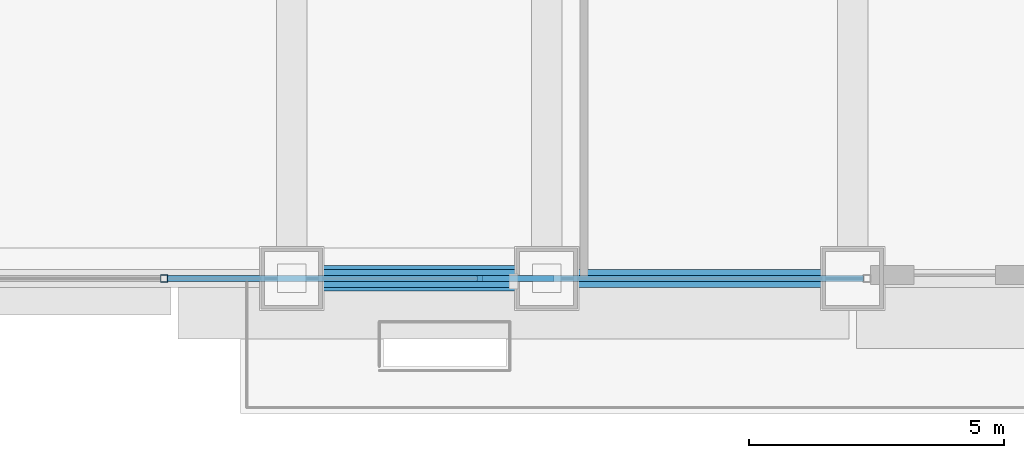
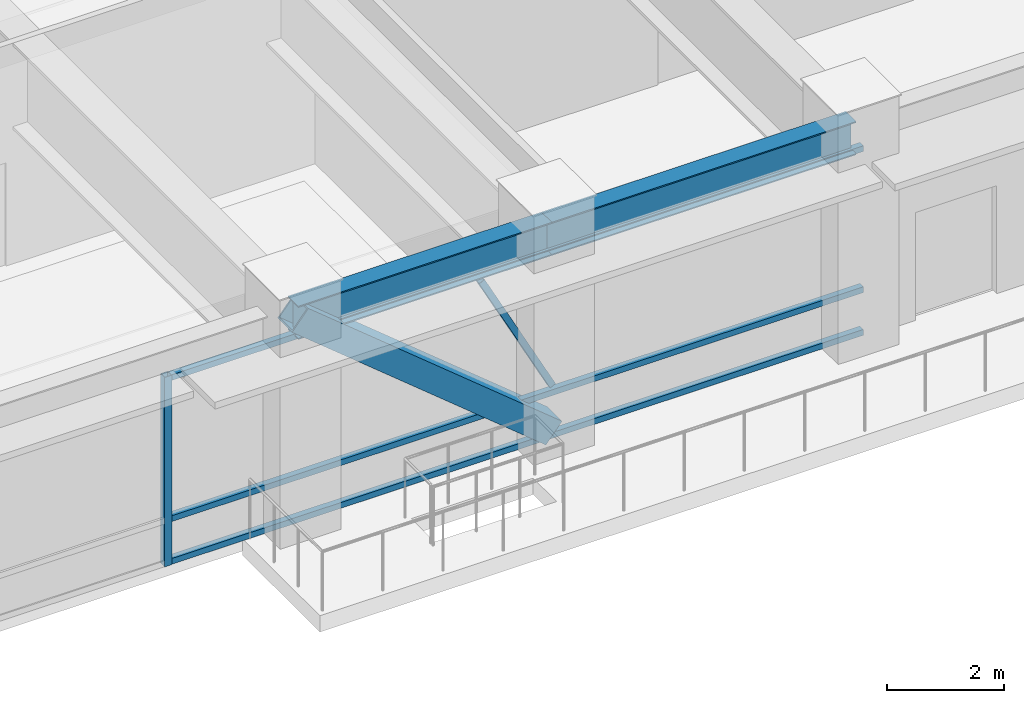
# One storey, part 4 of 34: 6 members, 2 beams, 1 element without a shape of its own.
"""IFC4 building model written with IfcOpenShell, lengths in metres."""

import ifcopenshell
import ifcopenshell.guid

model = None  # the IFC model being written
_history = None  # IfcOwnerHistory: only IFC2X3 demands one
_inside = {}  # id of a spatial element -> (the spatial element, [elements in it])
_under = {}  # id of a project, library or spatial element -> (it, [spatial elements below it])
_declared = {}  # id of a project -> (the project, [libraries it declares])
_typed = {}  # id of a type object -> (the type object, [elements of that type])
_made_of = {}  # id of a material, layer set ... -> (it, [elements and type objects made of it])


def new_model(schema):
    """Start an empty IFC model of exactly this schema.

    Asked for "IFC4X3", IfcOpenShell would pick the latest addendum, in which some entities
    have other attributes; the version numbers below select the first issue.
    IFC2X3 requires an IfcOwnerHistory on every rooted entity: one is made here for all.
    """
    global model, _history
    if schema == "IFC4X3":
        model = ifcopenshell.file(schema_version=(4, 3, 0, 0))
    else:
        model = ifcopenshell.file(schema=schema)
    _inside.clear()
    _under.clear()
    _declared.clear()
    _typed.clear()
    _made_of.clear()
    _history = None
    if model.schema == "IFC2X3":
        org = make("IfcOrganization", Name="unknown")
        user = make(
            "IfcPersonAndOrganization",
            ThePerson=make("IfcPerson", FamilyName="unknown"),
            TheOrganization=org,
        )
        app = make(
            "IfcApplication",
            ApplicationDeveloper=org,
            Version="unknown",
            ApplicationFullName="unknown",
            ApplicationIdentifier="unknown",
        )
        _history = make(
            "IfcOwnerHistory",
            OwningUser=user,
            OwningApplication=app,
            ChangeAction="ADDED",
            CreationDate=0,
        )
    return model


def make(cls, **values):
    """One entity of the class cls with the attributes given. An attribute that is None is left unset."""
    return model.create_entity(
        cls, **{name: value for name, value in values.items() if value is not None}
    )


def rooted(cls, **values):
    """An entity with a GlobalId (a new one), such as an element, a storey or a relation."""
    return make(cls, GlobalId=ifcopenshell.guid.new(), OwnerHistory=_history, **values)


def si_unit(unit_type, name, prefix=None):
    """IfcSIUnit, for example si_unit("LENGTHUNIT", "METRE", prefix="MILLI")."""
    return make("IfcSIUnit", UnitType=unit_type, Prefix=prefix, Name=name)


def assignment(units):
    """IfcUnitAssignment: the units of a project."""
    return None if units is None else make("IfcUnitAssignment", Units=units)


def point(xyz):
    """IfcCartesianPoint."""
    return None if xyz is None else make("IfcCartesianPoint", Coordinates=xyz)


def direction(xyz):
    """IfcDirection."""
    return None if xyz is None else make("IfcDirection", DirectionRatios=xyz)


def frame(location, z_axis=None, x_axis=None):
    """IfcAxis2Placement3D, a coordinate frame: its origin and axes. An axis left out is left unset."""
    return make(
        "IfcAxis2Placement3D",
        Location=point(location),
        Axis=direction(z_axis),
        RefDirection=direction(x_axis),
    )


def frame_2d(location, x_axis=None):
    """IfcAxis2Placement2D, a coordinate frame in the plane: its origin and x axis."""
    return make(
        "IfcAxis2Placement2D", Location=point(location), RefDirection=direction(x_axis)
    )


def origin():
    """The frame at (0, 0, 0) with its axes left unset."""
    return frame((0.0, 0.0, 0.0))


def origin_2d():
    """The frame at (0, 0) in the plane with its x axis left unset."""
    return frame_2d((0.0, 0.0))


def place(relative_to, where):
    """IfcLocalPlacement: puts the frame where relative to a parent placement (None: the world)."""
    return make(
        "IfcLocalPlacement", PlacementRelTo=relative_to, RelativePlacement=where
    )


def context(
    kind, dimensions, precision=None, world=None, true_north=None, identifier=None
):
    """IfcGeometricRepresentationContext, for example the 3D "Model" context."""
    return make(
        "IfcGeometricRepresentationContext",
        ContextIdentifier=identifier,
        ContextType=kind,
        CoordinateSpaceDimension=dimensions,
        Precision=precision,
        WorldCoordinateSystem=world,
        TrueNorth=true_north,
    )


def subcontext(parent, identifier, kind, view, scale=None):
    """IfcGeometricRepresentationSubContext, for example "Body" below "Model"."""
    return make(
        "IfcGeometricRepresentationSubContext",
        ContextIdentifier=identifier,
        ContextType=kind,
        ParentContext=parent,
        TargetScale=scale,
        TargetView=view,
    )


def project(units=None, contexts=None):
    """IfcProject with its units and contexts."""
    return rooted(
        "IfcProject",
        Name="project",
        RepresentationContexts=contexts,
        UnitsInContext=assignment(units),
    )


def spatial(cls, under=None, at=None, **own):
    """A site, building, storey or space (cls), placed at a placement, below another one or the project."""
    s = rooted(cls, ObjectPlacement=at, **own)
    if under is not None:
        _under.setdefault(under.id(), (under, []))[1].append(s)
    return s


def profile(cls, at=None, kind="AREA", **sizes):
    """A parametric profile (cls). Its sizes go by their IFC names, for example OverallWidth=200.0."""
    return make(cls, ProfileType=kind, Position=at, **sizes)


def hollow_rectangle(**sizes):
    """IfcRectangleHollowProfileDef."""
    return profile("IfcRectangleHollowProfileDef", **sizes)


def i_section(**sizes):
    """IfcIShapeProfileDef."""
    return profile("IfcIShapeProfileDef", **sizes)


def extrude(swept, where, along, depth):
    """IfcExtrudedAreaSolid: the profile swept, set in the frame where, extruded along a direction by depth."""
    return make(
        "IfcExtrudedAreaSolid",
        SweptArea=swept,
        Position=where,
        ExtrudedDirection=direction(along),
        Depth=depth,
    )


def shape(context_of_items, identifier, shape_type, items):
    """IfcShapeRepresentation: the items that make up one representation, for example the "Body"."""
    return make(
        "IfcShapeRepresentation",
        ContextOfItems=context_of_items,
        RepresentationIdentifier=identifier,
        RepresentationType=shape_type,
        Items=items,
    )


def source(mapping_origin, context_of_items, identifier, shape_type, items):
    """IfcRepresentationMap: a shape defined once, which mapped items show again and again."""
    return make(
        "IfcRepresentationMap",
        MappingOrigin=mapping_origin,
        MappedRepresentation=shape(context_of_items, identifier, shape_type, items),
    )


def transform(
    local_origin,
    x_axis=None,
    y_axis=None,
    z_axis=None,
    scale=None,
    scale2=None,
    scale3=None,
    uniform=True,
):
    """IfcCartesianTransformationOperator3D, or its non-uniform kind. x_axis, y_axis, z_axis: its Axis1, 2, 3."""
    if uniform:
        return make(
            "IfcCartesianTransformationOperator3D",
            Axis1=direction(x_axis),
            Axis2=direction(y_axis),
            LocalOrigin=point(local_origin),
            Scale=scale,
            Axis3=direction(z_axis),
        )
    return make(
        "IfcCartesianTransformationOperator3DnonUniform",
        Axis1=direction(x_axis),
        Axis2=direction(y_axis),
        LocalOrigin=point(local_origin),
        Scale=scale,
        Axis3=direction(z_axis),
        Scale2=scale2,
        Scale3=scale3,
    )


def mapped(mapping_source, mapping_target):
    """IfcMappedItem: shows the shape of a source again, moved by a transform."""
    return make(
        "IfcMappedItem", MappingSource=mapping_source, MappingTarget=mapping_target
    )


def material(Name=None, Category=None):
    """IfcMaterial."""
    return make("IfcMaterial", Name=Name, Category=Category)


def material_profile(
    of_material, cross_section, Name=None, Category=None, Priority=None
):
    """IfcMaterialProfile: a cross section and its material."""
    return make(
        "IfcMaterialProfile",
        Name=Name,
        Material=of_material,
        Profile=cross_section,
        Priority=Priority,
        Category=Category,
    )


def profile_set(profiles, Name=None, composite=None):
    """IfcMaterialProfileSet."""
    return make(
        "IfcMaterialProfileSet",
        Name=Name,
        MaterialProfiles=profiles,
        CompositeProfile=composite,
    )


def made_of(thing, what):
    """Note that an element or type object is made of a material, layer set ...; save() writes the relation."""
    if what is not None:
        _made_of.setdefault(what.id(), (what, []))[1].append(thing)
    return thing


def type_object(cls, material=None, **own):
    """A type object (cls), such as IfcWallType, which elements share."""
    return made_of(rooted(cls, **own), material)


def element(
    cls,
    number,
    at=None,
    inside=None,
    cuts=None,
    type_object=None,
    material=None,
    context=None,
    identifier="Body",
    shape_type=None,
    held_by="IfcProductDefinitionShape",
    body=None,
    shapes=None,
    **own,
):
    """One element of the class cls, such as IfcWall. Its Tag is "e" and its number.

    at: its placement. inside: the storey or other place that contains it. cuts: it is an
    opening in that element (IfcRelVoidsElement). A single representation is given by context,
    identifier, shape_type and body (its items); several are given by shapes. held_by: the class
    of the entity that holds the representations. save() writes the other relations.
    """
    e = rooted(cls, Tag="e%d" % number, ObjectPlacement=at, **own)
    if body is not None:
        shapes = [shape(context, identifier, shape_type, body)]
    if shapes is not None:
        e.Representation = make(held_by, Representations=shapes)
    if inside is not None:
        _inside.setdefault(inside.id(), (inside, []))[1].append(e)
    if cuts is not None:
        rooted(
            "IfcRelVoidsElement", RelatingBuildingElement=cuts, RelatedOpeningElement=e
        )
    if type_object is not None:
        _typed.setdefault(type_object.id(), (type_object, []))[1].append(e)
    return made_of(e, material)


def aggregate(whole, parts):
    """IfcRelAggregates: a whole, such as a stair, and the parts it consists of."""
    return rooted("IfcRelAggregates", RelatingObject=whole, RelatedObjects=parts)


def save(model, path):
    """Write the relations noted so far, then the file.

    IfcRelAggregates (storeys below a building ...), IfcRelContainedInSpatialStructure (elements
    in a storey), IfcRelDefinesByType, IfcRelAssociatesMaterial and IfcRelDeclares: one each for
    every whole, place, type object, material and project.
    """
    for whole, parts in _under.values():
        aggregate(whole, parts)
    for where, things in _inside.values():
        rooted(
            "IfcRelContainedInSpatialStructure",
            RelatedElements=things,
            RelatingStructure=where,
        )
    for kind, things in _typed.values():
        rooted("IfcRelDefinesByType", RelatedObjects=things, RelatingType=kind)
    for what, things in _made_of.values():
        rooted("IfcRelAssociatesMaterial", RelatedObjects=things, RelatingMaterial=what)
    for by, libraries in _declared.values():
        rooted("IfcRelDeclares", RelatingContext=by, RelatedDefinitions=libraries)
    model.write(path)


model = new_model("IFC4")

# Units and contexts
model_context = context("Model", 3, precision=1e-05, world=origin(), true_north=direction((0.0, 1.0)))
body_context = subcontext(model_context, "Body", "Model", "MODEL_VIEW")
ifc_project = project(units=[si_unit("LENGTHUNIT", "METRE"), si_unit("AREAUNIT", "SQUARE_METRE"), si_unit("VOLUMEUNIT", "CUBIC_METRE"), si_unit("PLANEANGLEUNIT", "RADIAN"), si_unit("MASSUNIT", "GRAM", prefix="KILO")], contexts=[model_context])

# Site, building, storey
site_placement = place(None, origin())
site = spatial("IfcSite", under=ifc_project, at=site_placement, CompositionType="ELEMENT")
building_placement = place(site_placement, origin())
building = spatial("IfcBuilding", under=site, at=building_placement, Name="Khorayat Bourse Tower", CompositionType="ELEMENT")
storey_placement = place(building_placement, frame((0.0, 0.0, 144.699951171875)))
storey = spatial("IfcBuildingStorey", under=building, at=storey_placement, Name="L33", CompositionType="ELEMENT", Elevation=144.699951171875)

# Beams
ifc_material_1 = material(Name="Steel ASTM A992 Grade 50", Category="steel")
ifc_material_profile_1 = material_profile(ifc_material_1, i_section(OverallWidth=0.35498046875, OverallDepth=0.695068359375, WebThickness=0.015380859375, FlangeThickness=0.02490234375, FilletRadius=0.01806640625, at=origin_2d()), Name="W690X217")
ifc_profile_set_1 = profile_set([ifc_material_profile_1], Name="Steel ASTM A992 Grade 50")
beam_type = type_object("IfcBeamType", Name="BM-SPAN-690", PredefinedType="SPANDREL", material=ifc_profile_set_1)
shared_shape_1 = source(origin(), body_context, "Body", "SweptSolid", [
    extrude(i_section(OverallWidth=0.35498046875, OverallDepth=0.695068359375, WebThickness=0.015380859375, FlangeThickness=0.02490234375, FilletRadius=0.01806640625, at=origin_2d()), origin(), (0.0, 0.0, 1.0), 5.0),
])
beam_1_placement = place(storey_placement, frame((-11.0, -32.0, 4.25244140625), z_axis=(1.0, 0.0, 0.0), x_axis=(0.0, 1.0, 0.0)))
element("IfcBeam", 1, at=beam_1_placement, inside=storey, type_object=beam_type, Name="L33 BM-SPAN-690 BM-L33-SPN-026", PredefinedType="SPANDREL", context=body_context, shape_type="MappedRepresentation", body=[
    mapped(shared_shape_1, transform((0.0, 0.0, 0.0), scale=1.0)),
])
shared_shape_2 = source(origin(), body_context, "Body", "SweptSolid", [
    extrude(i_section(OverallWidth=0.35498046875, OverallDepth=0.695068359375, WebThickness=0.015380859375, FlangeThickness=0.02490234375, FilletRadius=0.01806640625, at=origin_2d()), origin(), (0.0, 0.0, 1.0), 6.0),
])
beam_2_placement = place(storey_placement, frame((-6.0, -32.0, 4.25244140625), z_axis=(1.0, 0.0, 0.0), x_axis=(0.0, 1.0, 0.0)))
element("IfcBeam", 2, at=beam_2_placement, inside=storey, type_object=beam_type, Name="L33 BM-SPAN-690 BM-L33-SPN-027", PredefinedType="SPANDREL", context=body_context, shape_type="MappedRepresentation", body=[
    mapped(shared_shape_2, transform((0.0, 0.0, 0.0), scale=1.0)),
])

# Member
ifc_material_2 = material(Name="Steel EN 10025-4 S460M", Category="steel")
ifc_material_profile_2 = material_profile(ifc_material_2, hollow_rectangle(XDim=0.5, YDim=0.5, WallThickness=0.028076171875, at=origin_2d()), Name="HSS 500x500x28")
ifc_profile_set_2 = profile_set([ifc_material_profile_2], Name="Steel EN 10025-4 S460M")
member_type_1 = type_object("IfcMemberType", Name="MBR-TUBE-500", PredefinedType="BRACE", material=ifc_profile_set_2)
shared_shape_3 = source(origin(), body_context, "Body", "SweptSolid", [
    extrude(hollow_rectangle(XDim=0.5, YDim=0.5, WallThickness=0.028076171875, at=origin_2d()), origin(), (0.0, 0.0, 1.0), 6.466064453125),
])
member_1_placement = place(storey_placement, frame((-11.0, -32.0, 4.35009765625), z_axis=(0.773260385368, 0.0, -0.634088618744), x_axis=(0.0, 1.0, 0.0)))
element("IfcMember", 3, at=member_1_placement, inside=storey, type_object=member_type_1, Name="L33 Perimeter Tube Brace 01", PredefinedType="BRACE", context=body_context, shape_type="MappedRepresentation", body=[
    mapped(shared_shape_3, transform((0.0, 0.0, 0.0), scale=1.0)),
])

# Curtain wall, members
ifc_material_3 = material(Name="Aluminium EN AW-6063 T6", Category="aluminium")
curtain_wall_type = type_object("IfcCurtainWallType", Name="CW-SYS-05", PredefinedType="NOTDEFINED", material=ifc_material_3)
curtain_wall_placement = place(storey_placement, origin())
curtain_wall = element("IfcCurtainWall", 4, at=curtain_wall_placement, inside=storey, type_object=curtain_wall_type, Name="L33 Curtain Wall CW-L33-S1", PredefinedType="NOTDEFINED")
ifc_material_profile_3 = material_profile(ifc_material_3, hollow_rectangle(XDim=0.139892578125, YDim=0.139892578125, WallThickness=0.006103515625, at=origin_2d()), Name="ALU 140x140x6")
ifc_profile_set_3 = profile_set([ifc_material_profile_3], Name="Aluminium EN AW-6063 T6")
member_type_2 = type_object("IfcMemberType", Name="CWM-VERT-140", PredefinedType="MULLION", material=ifc_profile_set_3)
shared_shape_4 = source(origin(), body_context, "Body", "SweptSolid", [
    extrude(hollow_rectangle(XDim=0.139892578125, YDim=0.139892578125, WallThickness=0.006103515625, at=origin_2d()), origin(), (0.0, 0.0, 1.0), 3.949951171875),
])
member_2_placement = place(storey_placement, frame((-13.5, -32.0, 0.0), z_axis=(0.0, 0.0, 1.0), x_axis=(0.0, 1.0, 0.0)))
member_2 = element("IfcMember", 5, at=member_2_placement, type_object=member_type_2, Name="CW-L33-S1 Vertical Mullion 2", PredefinedType="MULLION", context=body_context, shape_type="MappedRepresentation", body=[
    mapped(shared_shape_4, transform((0.0, 0.0, 0.0), scale=1.0)),
])
ifc_material_profile_4 = material_profile(ifc_material_3, hollow_rectangle(XDim=0.1201171875, YDim=0.1201171875, WallThickness=0.0048828125, at=origin_2d()), Name="ALU 120x120x5")
ifc_profile_set_4 = profile_set([ifc_material_profile_4], Name="Aluminium EN AW-6063 T6")
member_type_3 = type_object("IfcMemberType", Name="CWT-HORZ-120", PredefinedType="USERDEFINED", material=ifc_profile_set_4)
shared_shape_5 = source(origin(), body_context, "Body", "SweptSolid", [
    extrude(hollow_rectangle(XDim=0.1201171875, YDim=0.1201171875, WallThickness=0.0048828125, at=origin_2d()), origin(), (0.0, 0.0, 1.0), 13.639892578125),
])
member_3_placement = place(storey_placement, frame((-13.429931640625, -32.0, 0.06005859375), z_axis=(1.0, 0.0, 0.0), x_axis=(0.0, 1.0, 0.0)))
member_3 = element("IfcMember", 6, at=member_3_placement, type_object=member_type_3, Name="CW-L33-S1 Horizontal Transom 2-1", ObjectType="TRANSOM", PredefinedType="USERDEFINED", context=body_context, shape_type="MappedRepresentation", body=[
    mapped(shared_shape_5, transform((0.0, 0.0, 0.0), scale=1.0)),
])
member_4_placement = place(storey_placement, frame((-13.429931640625, -32.0, 0.949951171875), z_axis=(1.0, 0.0, 0.0), x_axis=(0.0, 1.0, 0.0)))
member_4 = element("IfcMember", 7, at=member_4_placement, type_object=member_type_3, Name="CW-L33-S1 Horizontal Transom 2-2", ObjectType="TRANSOM", PredefinedType="USERDEFINED", context=body_context, shape_type="MappedRepresentation", body=[
    mapped(shared_shape_5, transform((0.0, 0.0, 0.0), scale=1.0)),
])
member_5_placement = place(storey_placement, frame((-13.429931640625, -32.0, 3.89013671875), z_axis=(1.0, 0.0, 0.0), x_axis=(0.0, 1.0, 0.0)))
member_5 = element("IfcMember", 8, at=member_5_placement, type_object=member_type_3, Name="CW-L33-S1 Horizontal Transom 2-3", ObjectType="TRANSOM", PredefinedType="USERDEFINED", context=body_context, shape_type="MappedRepresentation", body=[
    mapped(shared_shape_5, transform((0.0, 0.0, 0.0), scale=1.0)),
])
ifc_material_profile_5 = material_profile(ifc_material_3, hollow_rectangle(XDim=0.1201171875, YDim=0.1201171875, WallThickness=0.0048828125, at=origin_2d()), Name="ALU 120x120x5")
ifc_profile_set_5 = profile_set([ifc_material_profile_5], Name="Aluminium EN AW-6063 T6")
member_type_4 = type_object("IfcMemberType", Name="CWM-DIAG-120", PredefinedType="MULLION", material=ifc_profile_set_5)
shared_shape_6 = source(origin(), body_context, "Body", "SweptSolid", [
    extrude(hollow_rectangle(XDim=0.1201171875, YDim=0.1201171875, WallThickness=0.0048828125, at=origin_2d()), origin(), (0.0, 0.0, 1.0), 3.005859375),
])
member_6_placement = place(storey_placement, frame((-5.909912109375, -32.0, 1.090087890625), z_axis=(-0.465796644007, 0.0, 0.884891793629), x_axis=(0.0, -1.0, 0.0)))
member_6 = element("IfcMember", 9, at=member_6_placement, type_object=member_type_4, Name="CW-L33-S1 Faceted Diagonal Mullion 2", PredefinedType="MULLION", context=body_context, shape_type="MappedRepresentation", body=[
    mapped(shared_shape_6, transform((0.0, 0.0, 0.0), scale=1.0)),
])
aggregate(curtain_wall, [member_2, member_3, member_4, member_5, member_6])

save(model, "model.ifc")
